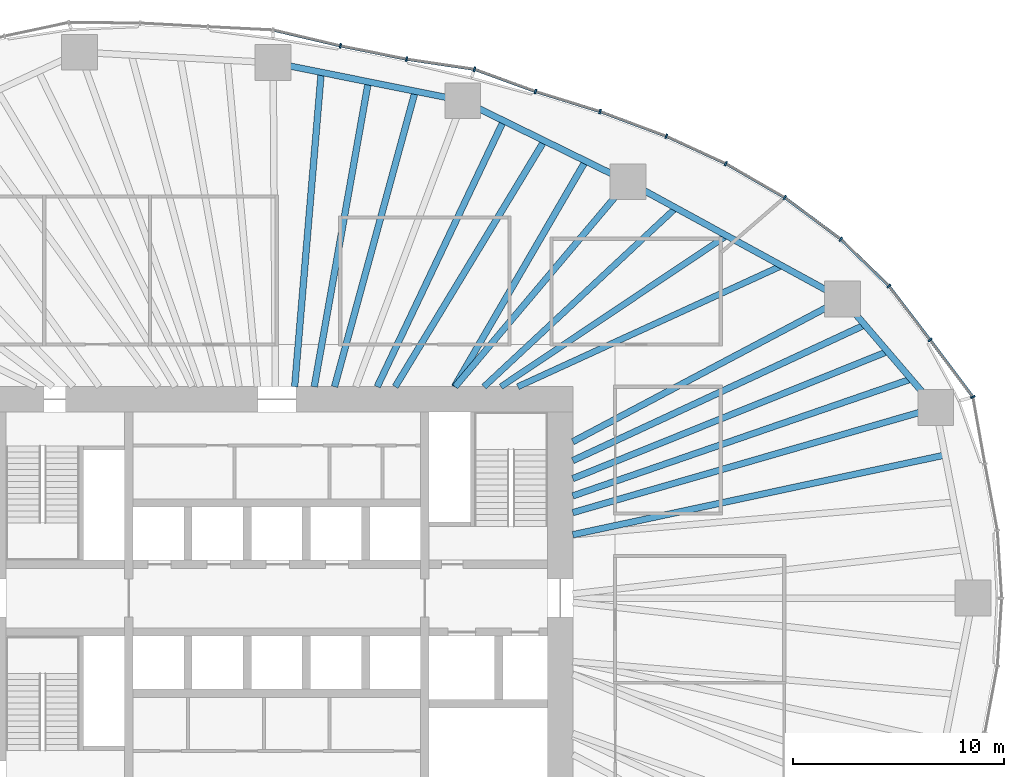
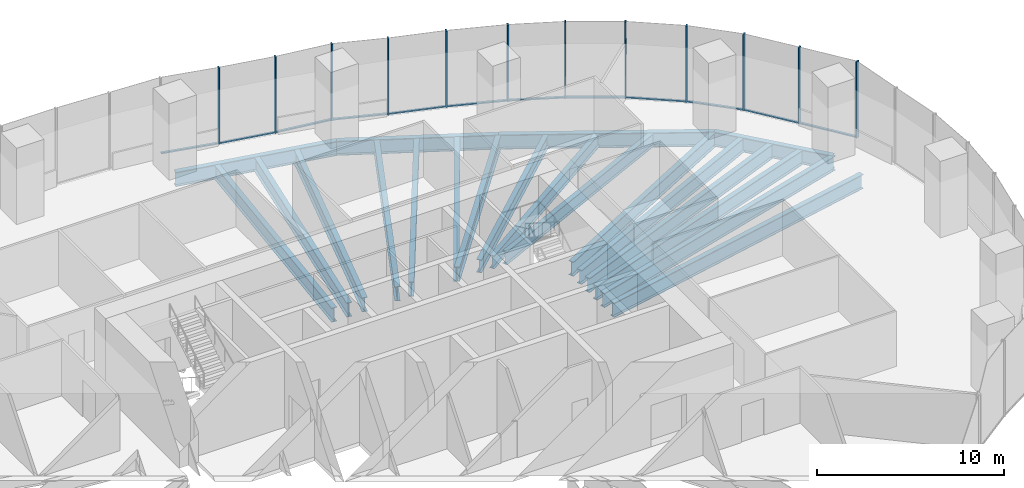
# One storey, part 6 of 20: 24 members, 20 beams, 4 elements without a shape of their own.
"""IFC4 building model written with IfcOpenShell, lengths in metres."""

from ifc_helpers import new_model, si_unit, direction, frame, origin, origin_2d, place, context, subcontext, project, spatial, rectangle, i_section, extrude, material, material_profile, profile_set, type_object, element, aggregate, save


model = new_model("IFC4")

# Units and contexts
model_context = context("Model", 3, precision=1e-05, world=origin(), true_north=direction((0.0, 1.0)))
body_context = subcontext(model_context, "Body", "Model", "MODEL_VIEW")
ifc_project = project(units=[si_unit("LENGTHUNIT", "METRE"), si_unit("AREAUNIT", "SQUARE_METRE"), si_unit("VOLUMEUNIT", "CUBIC_METRE"), si_unit("PLANEANGLEUNIT", "RADIAN"), si_unit("MASSUNIT", "GRAM", prefix="KILO")], contexts=[model_context])

# Site, building, storey
site_placement = place(None, origin())
site = spatial("IfcSite", under=ifc_project, at=site_placement, CompositionType="ELEMENT")
building_placement = place(site_placement, origin())
building = spatial("IfcBuilding", under=site, at=building_placement, Name="Ghaith Harvest Tower", CompositionType="ELEMENT")
storey_placement = place(building_placement, frame((0.0, 0.0, 80.0)))
storey = spatial("IfcBuildingStorey", under=building, at=storey_placement, Name="L16", CompositionType="ELEMENT", Elevation=80.0)

# Curtain wall, members
ifc_material_1 = material(Name="Black anodised aluminium and fritted glass", Category="aluminium")
curtain_wall_type = type_object("IfcCurtainWallType", Name="CW-F CURTAIN WALL", PredefinedType="NOTDEFINED", material=ifc_material_1)
curtain_wall_1_placement = place(storey_placement, origin())
curtain_wall_1 = element("IfcCurtainWall", 1, at=curtain_wall_1_placement, inside=storey, type_object=curtain_wall_type, Name="Curtain wall CW-F bay 02 L16", PredefinedType="NOTDEFINED")
ifc_material_2 = material(Name="Aluminium, black anodised", Category="aluminium")
ifc_material_profile_1 = material_profile(ifc_material_2, rectangle(XDim=0.080078125, YDim=0.219970703125, at=origin_2d()), Name="CW-F MULLION 80x220")
ifc_profile_set_1 = profile_set([ifc_material_profile_1], Name="Aluminium, black anodised")
member_type_1 = type_object("IfcMemberType", Name="CW-F MULLION 80x220", PredefinedType="MULLION", material=ifc_profile_set_1)
member_1_placement = place(storey_placement, frame((32.923583984375, 9.515625, 0.0), z_axis=(0.0, 0.0, 1.0), x_axis=(-0.404701693729, 0.914448762421, 0.0)))
member_1 = element("IfcMember", 2, at=member_1_placement, type_object=member_type_1, Name="CW-F mullion 1 bay 02 L16", PredefinedType="MULLION", context=body_context, shape_type="SweptSolid", body=[
    extrude(rectangle(XDim=0.080078125, YDim=0.219970703125, at=origin_2d()), origin(), (0.0, 0.0, 1.0), 5.0),
])
member_2_placement = place(storey_placement, frame((30.896728515625, 12.215087890625, 0.0), z_axis=(0.0, 0.0, 1.0), x_axis=(-0.603948315345, 0.797023482961, 0.0)))
member_2 = element("IfcMember", 3, at=member_2_placement, type_object=member_type_1, Name="CW-F mullion 2 bay 02 L16", PredefinedType="MULLION", context=body_context, shape_type="SweptSolid", body=[
    extrude(rectangle(XDim=0.080078125, YDim=0.219970703125, at=origin_2d()), origin(), (0.0, 0.0, 1.0), 5.0),
])
member_3_placement = place(storey_placement, frame((28.947021484375, 14.763427734375, 0.0), z_axis=(0.0, 0.0, 1.0), x_axis=(-0.663604797296, 0.748083332929, 0.0)))
member_3 = element("IfcMember", 4, at=member_3_placement, type_object=member_type_1, Name="CW-F mullion 3 bay 02 L16", PredefinedType="MULLION", context=body_context, shape_type="SweptSolid", body=[
    extrude(rectangle(XDim=0.080078125, YDim=0.219970703125, at=origin_2d()), origin(), (0.0, 0.0, 1.0), 5.0),
])

curtain_wall_2_placement = place(storey_placement, origin())
curtain_wall_2 = element("IfcCurtainWall", 5, at=curtain_wall_2_placement, inside=storey, type_object=curtain_wall_type, Name="Curtain wall CW-F bay 03 L16", PredefinedType="NOTDEFINED")
member_4_placement = place(storey_placement, frame((26.673828125, 16.9755859375, 0.0), z_axis=(0.0, 0.0, 1.0), x_axis=(-0.762365981091, 0.647146127915, 0.0)))
member_4 = element("IfcMember", 6, at=member_4_placement, type_object=member_type_1, Name="CW-F mullion 1 bay 03 L16", PredefinedType="MULLION", context=body_context, shape_type="SweptSolid", body=[
    extrude(rectangle(XDim=0.080078125, YDim=0.219970703125, at=origin_2d()), origin(), (0.0, 0.0, 1.0), 5.0),
])
member_5_placement = place(storey_placement, frame((24.018310546875, 18.947265625, 0.0), z_axis=(0.0, 0.0, 1.0), x_axis=(-0.835443516723, 0.549576318963, 0.0)))
member_5 = element("IfcMember", 7, at=member_5_placement, type_object=member_type_1, Name="CW-F mullion 2 bay 03 L16", PredefinedType="MULLION", context=body_context, shape_type="SweptSolid", body=[
    extrude(rectangle(XDim=0.080078125, YDim=0.219970703125, at=origin_2d()), origin(), (0.0, 0.0, 1.0), 5.0),
])
member_6_placement = place(storey_placement, frame((21.2353515625, 20.552978515625, 0.0), z_axis=(0.0, 0.0, 1.0), x_axis=(-0.887896671642, 0.460042933308, 0.0)))
member_6 = element("IfcMember", 8, at=member_6_placement, type_object=member_type_1, Name="CW-F mullion 3 bay 03 L16", PredefinedType="MULLION", context=body_context, shape_type="SweptSolid", body=[
    extrude(rectangle(XDim=0.080078125, YDim=0.219970703125, at=origin_2d()), origin(), (0.0, 0.0, 1.0), 5.0),
])

curtain_wall_3_placement = place(storey_placement, origin())
curtain_wall_3 = element("IfcCurtainWall", 9, at=curtain_wall_3_placement, inside=storey, type_object=curtain_wall_type, Name="Curtain wall CW-F bay 04 L16", PredefinedType="NOTDEFINED")
member_7_placement = place(storey_placement, frame((18.422607421875, 21.8466796875, 0.0), z_axis=(0.0, 0.0, 1.0), x_axis=(-0.923910199252, 0.382609387912, 0.0)))
member_7 = element("IfcMember", 10, at=member_7_placement, type_object=member_type_1, Name="CW-F mullion 1 bay 04 L16", PredefinedType="MULLION", context=body_context, shape_type="SweptSolid", body=[
    extrude(rectangle(XDim=0.080078125, YDim=0.219970703125, at=origin_2d()), origin(), (0.0, 0.0, 1.0), 5.0),
])
member_8_placement = place(storey_placement, frame((15.28759765625, 23.01611328125, 0.0), z_axis=(0.0, 0.0, 1.0), x_axis=(-0.946121020954, 0.323813238933, 0.0)))
member_8 = element("IfcMember", 11, at=member_8_placement, type_object=member_type_1, Name="CW-F mullion 2 bay 04 L16", PredefinedType="MULLION", context=body_context, shape_type="SweptSolid", body=[
    extrude(rectangle(XDim=0.080078125, YDim=0.219970703125, at=origin_2d()), origin(), (0.0, 0.0, 1.0), 5.0),
])
member_9_placement = place(storey_placement, frame((12.234375, 23.964599609375, 0.0), z_axis=(0.0, 0.0, 1.0), x_axis=(-0.947653438436, 0.319300736957, 0.0)))
member_9 = element("IfcMember", 12, at=member_9_placement, type_object=member_type_1, Name="CW-F mullion 3 bay 04 L16", PredefinedType="MULLION", context=body_context, shape_type="SweptSolid", body=[
    extrude(rectangle(XDim=0.080078125, YDim=0.219970703125, at=origin_2d()), origin(), (0.0, 0.0, 1.0), 5.0),
])

curtain_wall_4_placement = place(storey_placement, origin())
curtain_wall_4 = element("IfcCurtainWall", 13, at=curtain_wall_4_placement, inside=storey, type_object=curtain_wall_type, Name="Curtain wall CW-F bay 05 L16", PredefinedType="NOTDEFINED")
member_10_placement = place(storey_placement, frame((9.351806640625, 25.01611328125, 0.0), z_axis=(0.0, 0.0, 1.0), x_axis=(-0.969903429236, 0.243489913461, 0.0)))
member_10 = element("IfcMember", 14, at=member_10_placement, type_object=member_type_1, Name="CW-F mullion 1 bay 05 L16", PredefinedType="MULLION", context=body_context, shape_type="SweptSolid", body=[
    extrude(rectangle(XDim=0.080078125, YDim=0.219970703125, at=origin_2d()), origin(), (0.0, 0.0, 1.0), 5.0),
])
member_11_placement = place(storey_placement, frame((6.136962890625, 25.495361328125, 0.0), z_axis=(0.0, 0.0, 1.0), x_axis=(-0.985103843977, 0.171960508788, 0.0)))
member_11 = element("IfcMember", 15, at=member_11_placement, type_object=member_type_1, Name="CW-F mullion 2 bay 05 L16", PredefinedType="MULLION", context=body_context, shape_type="SweptSolid", body=[
    extrude(rectangle(XDim=0.080078125, YDim=0.219970703125, at=origin_2d()), origin(), (0.0, 0.0, 1.0), 5.0),
])
member_12_placement = place(storey_placement, frame((3.00927734375, 26.123291015625, 0.0), z_axis=(0.0, 0.0, 1.0), x_axis=(-0.976927332869, 0.213571969822, 0.0)))
member_12 = element("IfcMember", 16, at=member_12_placement, type_object=member_type_1, Name="CW-F mullion 3 bay 05 L16", PredefinedType="MULLION", context=body_context, shape_type="SweptSolid", body=[
    extrude(rectangle(XDim=0.080078125, YDim=0.219970703125, at=origin_2d()), origin(), (0.0, 0.0, 1.0), 5.0),
])

# Member
ifc_material_3 = material(Name="Aluminium, black anodised", Category="aluminium")
ifc_material_profile_2 = material_profile(ifc_material_3, rectangle(XDim=0.139892578125, YDim=0.080078125, at=origin_2d()), Name="CW-F TRANSOM 140x80")
ifc_profile_set_2 = profile_set([ifc_material_profile_2], Name="Aluminium, black anodised")
member_type_2 = type_object("IfcMemberType", Name="CW-F TRANSOM 140x80", PredefinedType="USERDEFINED", material=ifc_profile_set_2)
member_13_placement = place(storey_placement, frame((32.899658203125, 9.547607421875, 0.0400390625), z_axis=(-0.600462135687, 0.799653189581, 0.0), x_axis=(-0.799653189581, -0.600462135687, 0.0)))
member_13 = element("IfcMember", 17, at=member_13_placement, type_object=member_type_2, Name="CW-F transom 1 bay 02 L16", ObjectType="TRANSOM", PredefinedType="USERDEFINED", context=body_context, shape_type="SweptSolid", body=[
    extrude(rectangle(XDim=0.139892578125, YDim=0.080078125, at=origin_2d()), origin(), (0.0, 0.0, 1.0), 3.2958984375),
])

member_14_placement = place(storey_placement, frame((30.87255859375, 12.246826171875, 0.0400390625), z_axis=(-0.607638356471, 0.794213842579, 0.0), x_axis=(-0.794213842579, -0.607638356471, 0.0)))
member_14 = element("IfcMember", 18, at=member_14_placement, type_object=member_type_2, Name="CW-F transom 2 bay 02 L16", ObjectType="TRANSOM", PredefinedType="USERDEFINED", context=body_context, shape_type="SweptSolid", body=[
    extrude(rectangle(XDim=0.139892578125, YDim=0.080078125, at=origin_2d()), origin(), (0.0, 0.0, 1.0), 3.128662109375),
])

member_15_placement = place(storey_placement, frame((28.91845703125, 14.791259765625, 0.0400390625), z_axis=(-0.71671313139, 0.697368114623, 0.0), x_axis=(-0.697368114623, -0.71671313139, 0.0)))
member_15 = element("IfcMember", 19, at=member_15_placement, type_object=member_type_2, Name="CW-F transom 3 bay 02 L16", ObjectType="TRANSOM", PredefinedType="USERDEFINED", context=body_context, shape_type="SweptSolid", body=[
    extrude(rectangle(XDim=0.139892578125, YDim=0.080078125, at=origin_2d()), origin(), (0.0, 0.0, 1.0), 3.092041015625),
])

aggregate(curtain_wall_1, [member_1, member_13, member_2, member_14, member_3, member_15])

member_16_placement = place(storey_placement, frame((26.641845703125, 16.999267578125, 0.0400390625), z_axis=(-0.802877287823, 0.596144328748, 0.0), x_axis=(-0.596144328748, -0.802877287823, 0.0)))
member_16 = element("IfcMember", 20, at=member_16_placement, type_object=member_type_2, Name="CW-F transom 1 bay 03 L16", ObjectType="TRANSOM", PredefinedType="USERDEFINED", context=body_context, shape_type="SweptSolid", body=[
    extrude(rectangle(XDim=0.139892578125, YDim=0.080078125, at=origin_2d()), origin(), (0.0, 0.0, 1.0), 3.2275390625),
])

member_17_placement = place(storey_placement, frame((23.983642578125, 18.96728515625, 0.0400390625), z_axis=(-0.866168719914, 0.499751686983, 0.0), x_axis=(-0.499751686983, -0.866168719914, 0.0)))
member_17 = element("IfcMember", 21, at=member_17_placement, type_object=member_type_2, Name="CW-F transom 2 bay 03 L16", ObjectType="TRANSOM", PredefinedType="USERDEFINED", context=body_context, shape_type="SweptSolid", body=[
    extrude(rectangle(XDim=0.139892578125, YDim=0.080078125, at=origin_2d()), origin(), (0.0, 0.0, 1.0), 3.1328125),
])

member_18_placement = place(storey_placement, frame((21.19921875, 20.56982421875, 0.0400390625), z_axis=(-0.908553137239, 0.417769310521, 0.0), x_axis=(-0.417769310521, -0.908553137239, 0.0)))
member_18 = element("IfcMember", 22, at=member_18_placement, type_object=member_type_2, Name="CW-F transom 3 bay 03 L16", ObjectType="TRANSOM", PredefinedType="USERDEFINED", context=body_context, shape_type="SweptSolid", body=[
    extrude(rectangle(XDim=0.139892578125, YDim=0.080078125, at=origin_2d()), origin(), (0.0, 0.0, 1.0), 3.01611328125),
])

aggregate(curtain_wall_2, [member_4, member_16, member_5, member_17, member_6, member_18])

member_19_placement = place(storey_placement, frame((18.385009765625, 21.860595703125, 0.0400390625), z_axis=(-0.936923785579, 0.349533717996, 0.0), x_axis=(-0.349533717996, -0.936923785579, 0.0)))
member_19 = element("IfcMember", 23, at=member_19_placement, type_object=member_type_2, Name="CW-F transom 1 bay 04 L16", ObjectType="TRANSOM", PredefinedType="USERDEFINED", context=body_context, shape_type="SweptSolid", body=[
    extrude(rectangle(XDim=0.139892578125, YDim=0.080078125, at=origin_2d()), origin(), (0.0, 0.0, 1.0), 3.26611328125),
])

member_20_placement = place(storey_placement, frame((15.249267578125, 23.028076171875, 0.0400390625), z_axis=(-0.954998362353, 0.296611071781, 0.0), x_axis=(-0.296611071781, -0.954998362353, 0.0)))
member_20 = element("IfcMember", 24, at=member_20_placement, type_object=member_type_2, Name="CW-F transom 2 bay 04 L16", ObjectType="TRANSOM", PredefinedType="USERDEFINED", context=body_context, shape_type="SweptSolid", body=[
    extrude(rectangle(XDim=0.139892578125, YDim=0.080078125, at=origin_2d()), origin(), (0.0, 0.0, 1.0), 3.1171875),
])

member_21_placement = place(storey_placement, frame((12.19677734375, 23.978271484375, 0.0400390625), z_axis=(-0.939437502081, 0.342720264478, 0.0), x_axis=(-0.342720264478, -0.939437502081, 0.0)))
member_21 = element("IfcMember", 25, at=member_21_placement, type_object=member_type_2, Name="CW-F transom 3 bay 04 L16", ObjectType="TRANSOM", PredefinedType="USERDEFINED", context=body_context, shape_type="SweptSolid", body=[
    extrude(rectangle(XDim=0.139892578125, YDim=0.080078125, at=origin_2d()), origin(), (0.0, 0.0, 1.0), 2.98828125),
])

aggregate(curtain_wall_3, [member_7, member_19, member_8, member_20, member_9, member_21])

member_22_placement = place(storey_placement, frame((9.312255859375, 25.02197265625, 0.0400390625), z_axis=(-0.989078238205, 0.147391447207, 0.0), x_axis=(-0.147391447207, -0.989078238205, 0.0)))
member_22 = element("IfcMember", 26, at=member_22_placement, type_object=member_type_2, Name="CW-F transom 1 bay 05 L16", ObjectType="TRANSOM", PredefinedType="USERDEFINED", context=body_context, shape_type="SweptSolid", body=[
    extrude(rectangle(XDim=0.139892578125, YDim=0.080078125, at=origin_2d()), origin(), (0.0, 0.0, 1.0), 3.17041015625),
])

member_23_placement = place(storey_placement, frame((6.097900390625, 25.503173828125, 0.0400390625), z_axis=(-0.980432471193, 0.196855707129, 0.0), x_axis=(-0.196855707129, -0.980432471193, 0.0)))
member_23 = element("IfcMember", 27, at=member_23_placement, type_object=member_type_2, Name="CW-F transom 2 bay 05 L16", ObjectType="TRANSOM", PredefinedType="USERDEFINED", context=body_context, shape_type="SweptSolid", body=[
    extrude(rectangle(XDim=0.139892578125, YDim=0.080078125, at=origin_2d()), origin(), (0.0, 0.0, 1.0), 3.1103515625),
])

member_24_placement = place(storey_placement, frame((2.97021484375, 26.132568359375, 0.0400390625), z_axis=(-0.973252867589, 0.229736491942, 0.0), x_axis=(-0.229736491942, -0.973252867589, 0.0)))
member_24 = element("IfcMember", 28, at=member_24_placement, type_object=member_type_2, Name="CW-F transom 3 bay 05 L16", ObjectType="TRANSOM", PredefinedType="USERDEFINED", context=body_context, shape_type="SweptSolid", body=[
    extrude(rectangle(XDim=0.139892578125, YDim=0.080078125, at=origin_2d()), origin(), (0.0, 0.0, 1.0), 3.200927734375),
])

aggregate(curtain_wall_4, [member_10, member_22, member_11, member_23, member_12, member_24])

# Beams
ifc_material_4 = material(Name="Steel ASTM A992 Grade 50", Category="steel")
ifc_material_profile_3 = material_profile(ifc_material_4, i_section(OverallWidth=0.306884765625, OverallDepth=0.94189453125, WebThickness=0.022216796875, FlangeThickness=0.039794921875, at=origin_2d()), Name="W920X345")
ifc_profile_set_3 = profile_set([ifc_material_profile_3], Name="Steel ASTM A992 Grade 50")
beam_type_1 = type_object("IfcBeamType", Name="E920-345 W920X345", PredefinedType="SPANDREL", material=ifc_profile_set_3)
beam_1_placement = place(storey_placement, frame((31.166015625, 9.008056640625, -0.6708984375), z_axis=(-0.65056255283, 0.759452674533, 0.0), x_axis=(-0.759452674533, -0.65056255283, 0.0)))
element("IfcBeam", 29, at=beam_1_placement, inside=storey, type_object=beam_type_1, Name="Edge beam E02 L16", PredefinedType="SPANDREL", context=body_context, shape_type="SweptSolid", body=[
    extrude(i_section(OverallWidth=0.306884765625, OverallDepth=0.94189453125, WebThickness=0.022216796875, FlangeThickness=0.039794921875, at=origin_2d()), origin(), (0.0, 0.0, 1.0), 6.7666015625),
])
beam_2_placement = place(storey_placement, frame((26.763916015625, 14.14697265625, -0.6708984375), z_axis=(-0.877588218279, 0.479415184509, 0.0), x_axis=(-0.479415184509, -0.877588218279, 0.0)))
element("IfcBeam", 30, at=beam_2_placement, inside=storey, type_object=beam_type_1, Name="Edge beam E03 L16", PredefinedType="SPANDREL", context=body_context, shape_type="SweptSolid", body=[
    extrude(i_section(OverallWidth=0.306884765625, OverallDepth=0.94189453125, WebThickness=0.022216796875, FlangeThickness=0.039794921875, at=origin_2d()), origin(), (0.0, 0.0, 1.0), 11.57275390625),
])
beam_3_placement = place(storey_placement, frame((16.60791015625, 19.695068359375, -0.6708984375), z_axis=(-0.897823733825, 0.440355019252, 0.0), x_axis=(-0.440355019252, -0.897823733825, 0.0)))
element("IfcBeam", 31, at=beam_3_placement, inside=storey, type_object=beam_type_1, Name="Edge beam E04 L16", PredefinedType="SPANDREL", context=body_context, shape_type="SweptSolid", body=[
    extrude(i_section(OverallWidth=0.306884765625, OverallDepth=0.94189453125, WebThickness=0.022216796875, FlangeThickness=0.039794921875, at=origin_2d()), origin(), (0.0, 0.0, 1.0), 8.7021484375),
])
beam_4_placement = place(storey_placement, frame((8.794921875, 23.527099609375, -0.6708984375), z_axis=(-0.980450082464, 0.196767974517, 0.0), x_axis=(-0.196767974517, -0.980450082464, 0.0)))
element("IfcBeam", 32, at=beam_4_placement, inside=storey, type_object=beam_type_1, Name="Edge beam E05 L16", PredefinedType="SPANDREL", context=body_context, shape_type="SweptSolid", body=[
    extrude(i_section(OverallWidth=0.306884765625, OverallDepth=0.94189453125, WebThickness=0.022216796875, FlangeThickness=0.039794921875, at=origin_2d()), origin(), (0.0, 0.0, 1.0), 9.146728515625),
])
ifc_material_5 = material(Name="Steel ASTM A992 Grade 50", Category="steel")
ifc_material_profile_4 = material_profile(ifc_material_5, i_section(OverallWidth=0.306884765625, OverallDepth=0.94189453125, WebThickness=0.022216796875, FlangeThickness=0.039794921875, at=origin_2d()), Name="W920X345")
ifc_profile_set_4 = profile_set([ifc_material_profile_4], Name="Steel ASTM A992 Grade 50")
beam_type_2 = type_object("IfcBeamType", Name="G920-345 W920X345", PredefinedType="BEAM", material=ifc_profile_set_4)
beam_5_placement = place(storey_placement, frame((14.0, 4.04638671875, -0.6708984375), z_axis=(0.960675395102, 0.277673882903, 0.0), x_axis=(-0.277673882903, 0.960675395102, 0.0)))
element("IfcBeam", 33, at=beam_5_placement, inside=storey, type_object=beam_type_2, Name="Radial girder G02 L16", PredefinedType="BEAM", context=body_context, shape_type="SweptSolid", body=[
    extrude(i_section(OverallWidth=0.306884765625, OverallDepth=0.94189453125, WebThickness=0.022216796875, FlangeThickness=0.039794921875, at=origin_2d()), origin(), (0.0, 0.0, 1.0), 17.86865234375),
])
beam_6_placement = place(storey_placement, frame((14.0, 7.39990234375, -0.6708984375), z_axis=(0.884082663971, 0.467330550324, 0.0), x_axis=(-0.467330550324, 0.884082663971, 0.0)))
element("IfcBeam", 34, at=beam_6_placement, inside=storey, type_object=beam_type_2, Name="Radial girder G03 L16", PredefinedType="BEAM", context=body_context, shape_type="SweptSolid", body=[
    extrude(i_section(OverallWidth=0.306884765625, OverallDepth=0.94189453125, WebThickness=0.022216796875, FlangeThickness=0.039794921875, at=origin_2d()), origin(), (0.0, 0.0, 1.0), 14.4375),
])
beam_7_placement = place(storey_placement, frame((8.4326171875, 10.0, -0.6708984375), z_axis=(0.644644245772, 0.764482698557, 0.0), x_axis=(-0.764482698557, 0.644644245772, 0.0)))
element("IfcBeam", 35, at=beam_7_placement, inside=storey, type_object=beam_type_2, Name="Radial girder G04 L16", PredefinedType="BEAM", context=body_context, shape_type="SweptSolid", body=[
    extrude(i_section(OverallWidth=0.306884765625, OverallDepth=0.94189453125, WebThickness=0.022216796875, FlangeThickness=0.039794921875, at=origin_2d()), origin(), (0.0, 0.0, 1.0), 12.681884765625),
])
ifc_material_6 = material(Name="Steel ASTM A992 Grade 50", Category="steel")
ifc_material_profile_5 = material_profile(ifc_material_6, i_section(OverallWidth=0.2939453125, OverallDepth=0.85107421875, WebThickness=0.01611328125, FlangeThickness=0.02685546875, at=origin_2d()), Name="W840X226")
ifc_profile_set_5 = profile_set([ifc_material_profile_5], Name="Steel ASTM A992 Grade 50")
beam_type_3 = type_object("IfcBeamType", Name="J840-226 W840X226", PredefinedType="JOIST", material=ifc_profile_set_5)
beam_8_placement = place(storey_placement, frame((11.39990234375, 10.0, -0.62548828125), z_axis=(0.909014022454, 0.416765529983, 0.0), x_axis=(-0.416765529983, 0.909014022454, 0.0)))
element("IfcBeam", 36, at=beam_8_placement, inside=storey, type_object=beam_type_3, Name="Joist J03.1 L16", PredefinedType="JOIST", context=body_context, shape_type="SweptSolid", body=[
    extrude(i_section(OverallWidth=0.2939453125, OverallDepth=0.85107421875, WebThickness=0.01611328125, FlangeThickness=0.02685546875, at=origin_2d()), origin(), (0.0, 0.0, 1.0), 13.72998046875),
])
beam_9_placement = place(storey_placement, frame((10.60009765625, 10.0, -0.62548828125), z_axis=(0.831116486766, 0.556098359489, 0.0), x_axis=(-0.556098359489, 0.831116486766, 0.0)))
element("IfcBeam", 37, at=beam_9_placement, inside=storey, type_object=beam_type_3, Name="Joist J03.2 L16", PredefinedType="JOIST", context=body_context, shape_type="SweptSolid", body=[
    extrude(i_section(OverallWidth=0.2939453125, OverallDepth=0.85107421875, WebThickness=0.01611328125, FlangeThickness=0.02685546875, at=origin_2d()), origin(), (0.0, 0.0, 1.0), 12.84716796875),
])
beam_10_placement = place(storey_placement, frame((9.800048828125, 10.0, -0.62548828125), z_axis=(0.731538123562, 0.681800538116, 0.0), x_axis=(-0.681800538116, 0.731538123562, 0.0)))
element("IfcBeam", 38, at=beam_10_placement, inside=storey, type_object=beam_type_3, Name="Joist J03.3 L16", PredefinedType="JOIST", context=body_context, shape_type="SweptSolid", body=[
    extrude(i_section(OverallWidth=0.2939453125, OverallDepth=0.85107421875, WebThickness=0.01611328125, FlangeThickness=0.02685546875, at=origin_2d()), origin(), (0.0, 0.0, 1.0), 12.404052734375),
])
ifc_material_7 = material(Name="Steel ASTM A992 Grade 50", Category="steel")
ifc_material_profile_6 = material_profile(ifc_material_7, i_section(OverallWidth=0.31005859375, OverallDepth=0.927001953125, WebThickness=0.019287109375, FlangeThickness=0.031982421875, at=origin_2d()), Name="W920X289")
ifc_profile_set_6 = profile_set([ifc_material_profile_6], Name="Steel ASTM A992 Grade 50")
beam_type_4 = type_object("IfcBeamType", Name="J920-289 W920X289", PredefinedType="JOIST", material=ifc_profile_set_6)
beam_11_placement = place(storey_placement, frame((14.0, 6.506103515625, -0.66357421875), z_axis=(0.906862619792, 0.421426374144, 0.0), x_axis=(-0.421426374144, 0.906862619792, 0.0)))
element("IfcBeam", 39, at=beam_11_placement, inside=storey, type_object=beam_type_4, Name="Joist J02.3 L16", PredefinedType="JOIST", context=body_context, shape_type="SweptSolid", body=[
    extrude(i_section(OverallWidth=0.31005859375, OverallDepth=0.927001953125, WebThickness=0.019287109375, FlangeThickness=0.031982421875, at=origin_2d()), origin(), (0.0, 0.0, 1.0), 15.229736328125),
])
beam_12_placement = place(storey_placement, frame((8.39990234375, 10.0, -0.66357421875), z_axis=(0.50228574324, 0.864701701246, 0.0), x_axis=(-0.864701701246, 0.50228574324, 0.0)))
element("IfcBeam", 40, at=beam_12_placement, inside=storey, type_object=beam_type_4, Name="Joist J04.1 L16", PredefinedType="JOIST", context=body_context, shape_type="SweptSolid", body=[
    extrude(i_section(OverallWidth=0.31005859375, OverallDepth=0.927001953125, WebThickness=0.019287109375, FlangeThickness=0.031982421875, at=origin_2d()), origin(), (0.0, 0.0, 1.0), 12.349365234375),
])
beam_13_placement = place(storey_placement, frame((5.60009765625, 10.0, -0.66357421875), z_axis=(0.518319612023, 0.85518698528, 0.0), x_axis=(-0.85518698528, 0.518319612023, 0.0)))
element("IfcBeam", 41, at=beam_13_placement, inside=storey, type_object=beam_type_4, Name="Joist J04.2 L16", PredefinedType="JOIST", context=body_context, shape_type="SweptSolid", body=[
    extrude(i_section(OverallWidth=0.31005859375, OverallDepth=0.927001953125, WebThickness=0.019287109375, FlangeThickness=0.031982421875, at=origin_2d()), origin(), (0.0, 0.0, 1.0), 13.60546875),
])
beam_14_placement = place(storey_placement, frame((4.75, 10.0, -0.66357421875), z_axis=(0.429059675117, 0.903276145588, 0.0), x_axis=(-0.903276145588, 0.429059675117, 0.0)))
element("IfcBeam", 42, at=beam_14_placement, inside=storey, type_object=beam_type_4, Name="Joist J04.3 L16", PredefinedType="JOIST", context=body_context, shape_type="SweptSolid", body=[
    extrude(i_section(OverallWidth=0.31005859375, OverallDepth=0.927001953125, WebThickness=0.019287109375, FlangeThickness=0.031982421875, at=origin_2d()), origin(), (0.0, 0.0, 1.0), 13.92724609375),
])
beam_15_placement = place(storey_placement, frame((2.73095703125, 10.0, -0.66357421875), z_axis=(0.263455282447, 0.964671609487, 0.0), x_axis=(-0.964671609487, 0.263455282447, 0.0)))
element("IfcBeam", 43, at=beam_15_placement, inside=storey, type_object=beam_type_4, Name="Joist J05.1 L16", PredefinedType="JOIST", context=body_context, shape_type="SweptSolid", body=[
    extrude(i_section(OverallWidth=0.31005859375, OverallDepth=0.927001953125, WebThickness=0.019287109375, FlangeThickness=0.031982421875, at=origin_2d()), origin(), (0.0, 0.0, 1.0), 14.48974609375),
])
beam_16_placement = place(storey_placement, frame((1.772705078125, 10.0, -0.66357421875), z_axis=(0.174552574354, 0.984647855218, 0.0), x_axis=(-0.984647855218, 0.174552574354, 0.0)))
element("IfcBeam", 44, at=beam_16_placement, inside=storey, type_object=beam_type_4, Name="Joist J05.2 L16", PredefinedType="JOIST", context=body_context, shape_type="SweptSolid", body=[
    extrude(i_section(OverallWidth=0.31005859375, OverallDepth=0.927001953125, WebThickness=0.019287109375, FlangeThickness=0.031982421875, at=origin_2d()), origin(), (0.0, 0.0, 1.0), 14.648193359375),
])
beam_17_placement = place(storey_placement, frame((0.844970703125, 10.0, -0.66357421875), z_axis=(0.084219252187, 0.996447247756, 0.0), x_axis=(-0.996447247756, 0.084219252187, 0.0)))
element("IfcBeam", 45, at=beam_17_placement, inside=storey, type_object=beam_type_4, Name="Joist J05.3 L16", PredefinedType="JOIST", context=body_context, shape_type="SweptSolid", body=[
    extrude(i_section(OverallWidth=0.31005859375, OverallDepth=0.927001953125, WebThickness=0.019287109375, FlangeThickness=0.031982421875, at=origin_2d()), origin(), (0.0, 0.0, 1.0), 14.92333984375),
])
ifc_material_8 = material(Name="Steel ASTM A992 Grade 50", Category="steel")
ifc_material_profile_7 = material_profile(ifc_material_8, i_section(OverallWidth=0.306884765625, OverallDepth=0.94189453125, WebThickness=0.022216796875, FlangeThickness=0.039794921875, at=origin_2d()), Name="W920X345")
ifc_profile_set_7 = profile_set([ifc_material_profile_7], Name="Steel ASTM A992 Grade 50")
beam_type_5 = type_object("IfcBeamType", Name="J920-345 W920X345", PredefinedType="JOIST", material=ifc_profile_set_7)
beam_18_placement = place(storey_placement, frame((14.0, 3.0, -0.6708984375), z_axis=(0.977831380626, 0.209393865869, 0.0), x_axis=(-0.209393865869, 0.977831380626, 0.0)))
element("IfcBeam", 46, at=beam_18_placement, inside=storey, type_object=beam_type_5, Name="Joist J01.3 L16", PredefinedType="JOIST", context=body_context, shape_type="SweptSolid", body=[
    extrude(i_section(OverallWidth=0.306884765625, OverallDepth=0.94189453125, WebThickness=0.022216796875, FlangeThickness=0.039794921875, at=origin_2d()), origin(), (0.0, 0.0, 1.0), 18.002197265625),
])
beam_19_placement = place(storey_placement, frame((14.0, 4.835693359375, -0.6708984375), z_axis=(0.945204767809, 0.326478095607, 0.0), x_axis=(-0.326478095607, 0.945204767809, 0.0)))
element("IfcBeam", 47, at=beam_19_placement, inside=storey, type_object=beam_type_5, Name="Joist J02.1 L16", PredefinedType="JOIST", context=body_context, shape_type="SweptSolid", body=[
    extrude(i_section(OverallWidth=0.306884765625, OverallDepth=0.94189453125, WebThickness=0.022216796875, FlangeThickness=0.039794921875, at=origin_2d()), origin(), (0.0, 0.0, 1.0), 16.932373046875),
])
beam_20_placement = place(storey_placement, frame((14.0, 5.653564453125, -0.6708984375), z_axis=(0.927252192145, 0.374437407536, 0.0), x_axis=(-0.374437407536, 0.927252192145, 0.0)))
element("IfcBeam", 48, at=beam_20_placement, inside=storey, type_object=beam_type_5, Name="Joist J02.2 L16", PredefinedType="JOIST", context=body_context, shape_type="SweptSolid", body=[
    extrude(i_section(OverallWidth=0.306884765625, OverallDepth=0.94189453125, WebThickness=0.022216796875, FlangeThickness=0.039794921875, at=origin_2d()), origin(), (0.0, 0.0, 1.0), 16.057373046875),
])

save(model, "model.ifc")
